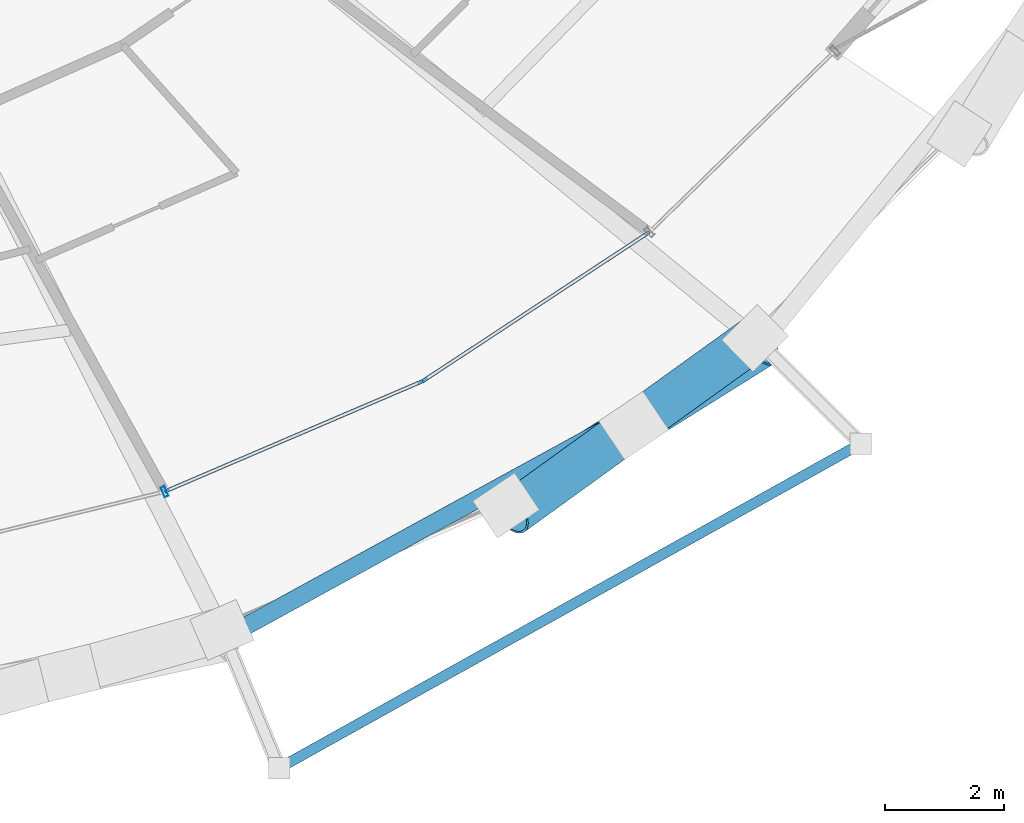
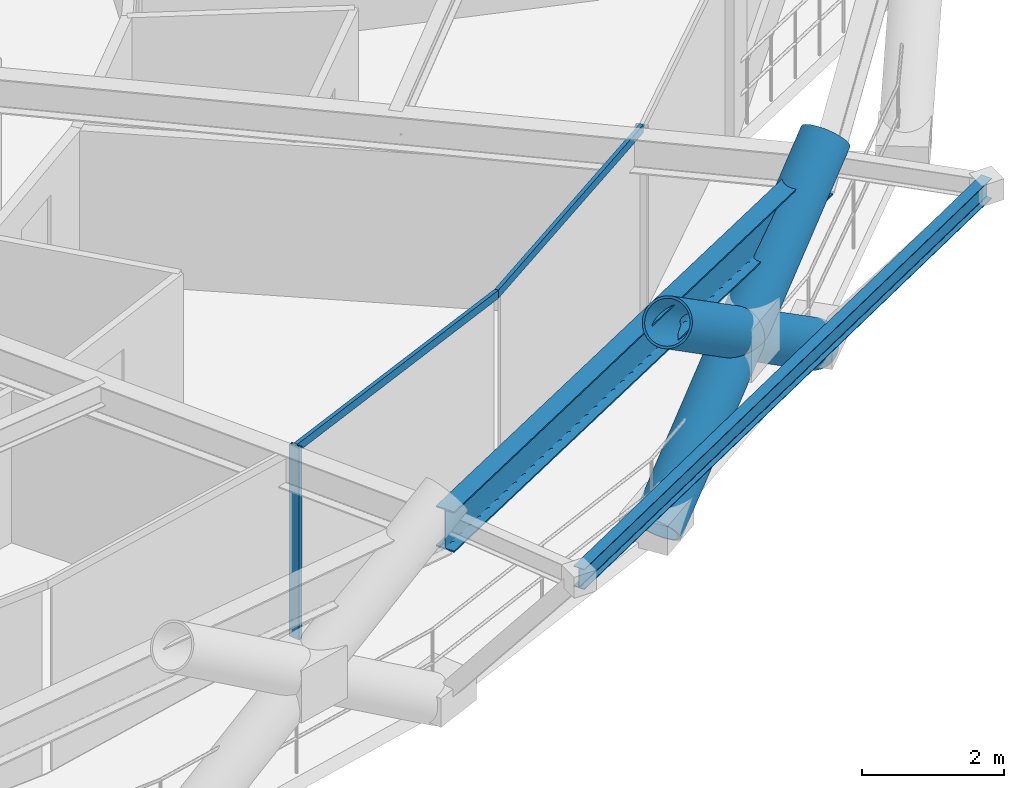
# One storey, part 6 of 19: 6 members, 2 beams, 1 element without a shape of its own.
"""IFC4 building model written with IfcOpenShell, lengths in metres."""

from ifc_helpers import new_model, si_unit, direction, frame, origin, origin_2d, place, context, subcontext, project, spatial, hollow_rectangle, hollow_circle, i_section, extrude, material, layer, layer_set, material_profile, profile_set, type_object, element, aggregate, save


model = new_model("IFC4")

# Units and contexts
model_context = context("Model", 3, precision=1e-05, world=origin(), true_north=direction((0.0, 1.0)))
body_context = subcontext(model_context, "Body", "Model", "MODEL_VIEW")
ifc_project = project(units=[si_unit("LENGTHUNIT", "METRE"), si_unit("AREAUNIT", "SQUARE_METRE"), si_unit("VOLUMEUNIT", "CUBIC_METRE"), si_unit("PLANEANGLEUNIT", "RADIAN"), si_unit("MASSUNIT", "GRAM", prefix="KILO")], contexts=[model_context])

# Site, building, storey
site_placement = place(None, origin())
site = spatial("IfcSite", under=ifc_project, at=site_placement, CompositionType="ELEMENT")
building_placement = place(site_placement, origin())
building = spatial("IfcBuilding", under=site, at=building_placement, Name="Veldorina Hangang Commons", CompositionType="ELEMENT")
storey_placement = place(building_placement, frame((0.0, 0.0, 34.0)))
storey = spatial("IfcBuildingStorey", under=building, at=storey_placement, Name="L07", CompositionType="ELEMENT", Elevation=34.0)

# Beams
ifc_material_1 = material(Name="Steel SM355-TMC", Category="steel")
ifc_material_profile_1 = material_profile(ifc_material_1, i_section(OverallWidth=0.175048828125, OverallDepth=0.35009765625, WebThickness=0.007080078125, FlangeThickness=0.010986328125, FilletRadius=0.012939453125, at=origin_2d()), Name="H-350x175x7x11")
ifc_profile_set_1 = profile_set([ifc_material_profile_1], Name="Steel SM355-TMC")
beam_type_1 = type_object("IfcBeamType", Name="BM-FG350", PredefinedType="BEAM", material=ifc_profile_set_1)
beam_1_placement = place(storey_placement, frame((43.55078125, 0.733154296875, 3.1650390625), z_axis=(0.873438326624, 0.486934789869, 0.0), x_axis=(-0.486934789869, 0.873438326624, 0.0)))
element("IfcBeam", 1, at=beam_1_placement, inside=storey, type_object=beam_type_1, Name="L08 tree balcony 2 outer rim beam", PredefinedType="BEAM", context=body_context, shape_type="SweptSolid", body=[
    extrude(i_section(OverallWidth=0.175048828125, OverallDepth=0.35009765625, WebThickness=0.007080078125, FlangeThickness=0.010986328125, FilletRadius=0.012939453125, at=origin_2d()), origin(), (0.0, 0.0, 1.0), 11.21142578125),
])
ifc_material_2 = material(Name="Steel SM460-TMC", Category="steel")
ifc_material_profile_2 = material_profile(ifc_material_2, i_section(OverallWidth=0.300048828125, OverallDepth=0.699951171875, WebThickness=0.012939453125, FlangeThickness=0.02392578125, FilletRadius=0.02197265625, at=origin_2d()), Name="H-700x300x13x24")
ifc_profile_set_2 = profile_set([ifc_material_profile_2], Name="Steel SM460-TMC")
beam_type_2 = type_object("IfcBeamType", Name="BM-RB700", PredefinedType="BEAM", material=ifc_profile_set_2)
beam_2_placement = place(storey_placement, frame((42.640625, 2.930419921875, 2.989990234375), z_axis=(0.876951488045, 0.480578908834, 0.0), x_axis=(-0.480578908834, 0.876951488045, 0.0)))
element("IfcBeam", 2, at=beam_2_placement, inside=storey, type_object=beam_type_2, Name="L07 perimeter hoop ring beam 26", PredefinedType="BEAM", context=body_context, shape_type="SweptSolid", body=[
    extrude(i_section(OverallWidth=0.300048828125, OverallDepth=0.699951171875, WebThickness=0.012939453125, FlangeThickness=0.02392578125, FilletRadius=0.02197265625, at=origin_2d()), origin(), (0.0, 0.0, 1.0), 10.286865234375),
])

# Curtain wall, members
ifc_material_3 = material(Name="Glass Low-E Triple IGU", Category="glass")
ifc_layer = layer(ifc_material_3, 0.179931640625)
ifc_layer_set = layer_set([ifc_layer], Name="Glass Low-E Triple IGU")
curtain_wall_type = type_object("IfcCurtainWallType", Name="CW-SYS-Z1", PredefinedType="NOTDEFINED", material=ifc_layer_set)
curtain_wall_placement = place(storey_placement, origin())
curtain_wall = element("IfcCurtainWall", 3, at=curtain_wall_placement, inside=storey, type_object=curtain_wall_type, Name="L07 unitised curtain wall CW-L07-R2", PredefinedType="NOTDEFINED")
ifc_material_4 = material(Name="Aluminium Anodized AA6063-T6", Category="aluminium")
ifc_material_profile_3 = material_profile(ifc_material_4, hollow_rectangle(XDim=0.070068359375, YDim=0.179931640625, WallThickness=0.00390625, at=origin_2d()), Name="ALU-RHS-180x70x4")
ifc_profile_set_3 = profile_set([ifc_material_profile_3], Name="Aluminium Anodized AA6063-T6")
member_type_1 = type_object("IfcMemberType", Name="CW-MUL-180", PredefinedType="MULLION", material=ifc_profile_set_3)
member_1_placement = place(storey_placement, frame((41.623779296875, 5.3857421875, 0.0), z_axis=(0.0, 0.0, 1.0), x_axis=(0.919259054397, 0.393653135273, 0.0)))
member_1 = element("IfcMember", 4, at=member_1_placement, type_object=member_type_1, Name="CW-L07-R2 vertical mullion 2", PredefinedType="MULLION", context=body_context, shape_type="SweptSolid", body=[
    extrude(hollow_rectangle(XDim=0.070068359375, YDim=0.179931640625, WallThickness=0.00390625, at=origin_2d()), origin(), (0.0, 0.0, 1.0), 3.300048828125),
])
ifc_material_profile_4 = material_profile(ifc_material_4, hollow_rectangle(XDim=0.06005859375, YDim=0.139892578125, WallThickness=0.00341796875, at=origin_2d()), Name="ALU-RHS-140x60x3.5")
ifc_profile_set_4 = profile_set([ifc_material_profile_4], Name="Aluminium Anodized AA6063-T6")
member_type_2 = type_object("IfcMemberType", Name="CW-TRN-140", PredefinedType="USERDEFINED", material=ifc_profile_set_4)
member_2_placement = place(storey_placement, frame((41.623779296875, 5.3857421875, 3.260009765625), z_axis=(0.91925713377, 0.39365762029, 0.0), x_axis=(-0.39365762029, 0.91925713377, 0.0)))
member_2 = element("IfcMember", 5, at=member_2_placement, type_object=member_type_2, Name="CW-L07-R2 facet 3 transom 1", ObjectType="TRANSOM", PredefinedType="USERDEFINED", context=body_context, shape_type="SweptSolid", body=[
    extrude(hollow_rectangle(XDim=0.06005859375, YDim=0.139892578125, WallThickness=0.00341796875, at=origin_2d()), origin(), (0.0, 0.0, 1.0), 4.7294921875),
])
member_3_placement = place(storey_placement, frame((45.971435546875, 7.24755859375, 3.260009765625), z_axis=(0.835541893859, 0.549426740891, 0.0), x_axis=(-0.549426740891, 0.835541893859, 0.0)))
member_3 = element("IfcMember", 6, at=member_3_placement, type_object=member_type_2, Name="CW-L07-R2 facet 4 transom 1", ObjectType="TRANSOM", PredefinedType="USERDEFINED", context=body_context, shape_type="SweptSolid", body=[
    extrude(hollow_rectangle(XDim=0.06005859375, YDim=0.139892578125, WallThickness=0.00341796875, at=origin_2d()), origin(), (0.0, 0.0, 1.0), 4.560791015625),
])
aggregate(curtain_wall, [member_1, member_2, member_3])

# Members
ifc_material_profile_5 = material_profile(ifc_material_2, hollow_circle(Radius=0.375, WallThickness=0.035888671875, at=origin_2d()), Name="CHS-750x36")
ifc_profile_set_5 = profile_set([ifc_material_profile_5], Name="Steel SM460-TMC")
member_type_3 = type_object("IfcMemberType", Name="DG-CHS750", PredefinedType="BRACE", material=ifc_profile_set_5)
member_4_placement = place(storey_placement, frame((47.37158203125, 5.15234375, 0.0), z_axis=(0.691594533626, 0.43353453289, 0.577706508403), x_axis=(-0.531133132637, 0.847288377954, 0.0)))
element("IfcMember", 7, at=member_4_placement, inside=storey, type_object=member_type_3, Name="L07 continuous perimeter diagrid brace 27", PredefinedType="BRACE", context=body_context, shape_type="SweptSolid", body=[
    extrude(hollow_circle(Radius=0.375, WallThickness=0.035888671875, at=origin_2d()), origin(), (0.0, 0.0, 1.0), 6.231689453125),
])
member_5_placement = place(storey_placement, frame((51.564208984375, 7.971435546875, 0.0), z_axis=(-0.661000892884, -0.476078493836, 0.580023350663), x_axis=(0.584432338022, -0.811442445447, 0.0)))
element("IfcMember", 8, at=member_5_placement, inside=storey, type_object=member_type_3, Name="L07 split perimeter diagrid lower brace 28", PredefinedType="BRACE", context=body_context, shape_type="SweptSolid", body=[
    extrude(hollow_circle(Radius=0.375, WallThickness=0.035888671875, at=origin_2d()), origin(), (0.0, 0.0, 1.0), 3.09326171875),
])
member_6_placement = place(storey_placement, frame((49.51953125, 6.498779296875, 1.794189453125), z_axis=(-0.660404068761, -0.476814717737, 0.58009843209), x_axis=(0.585374544701, -0.810763000152, 0.0)))
element("IfcMember", 9, at=member_6_placement, inside=storey, type_object=member_type_3, Name="L07 split perimeter diagrid upper brace 28", PredefinedType="BRACE", context=body_context, shape_type="SweptSolid", body=[
    extrude(hollow_circle(Radius=0.375, WallThickness=0.035888671875, at=origin_2d()), origin(), (0.0, 0.0, 1.0), 3.113037109375),
])

save(model, "model.ifc")
